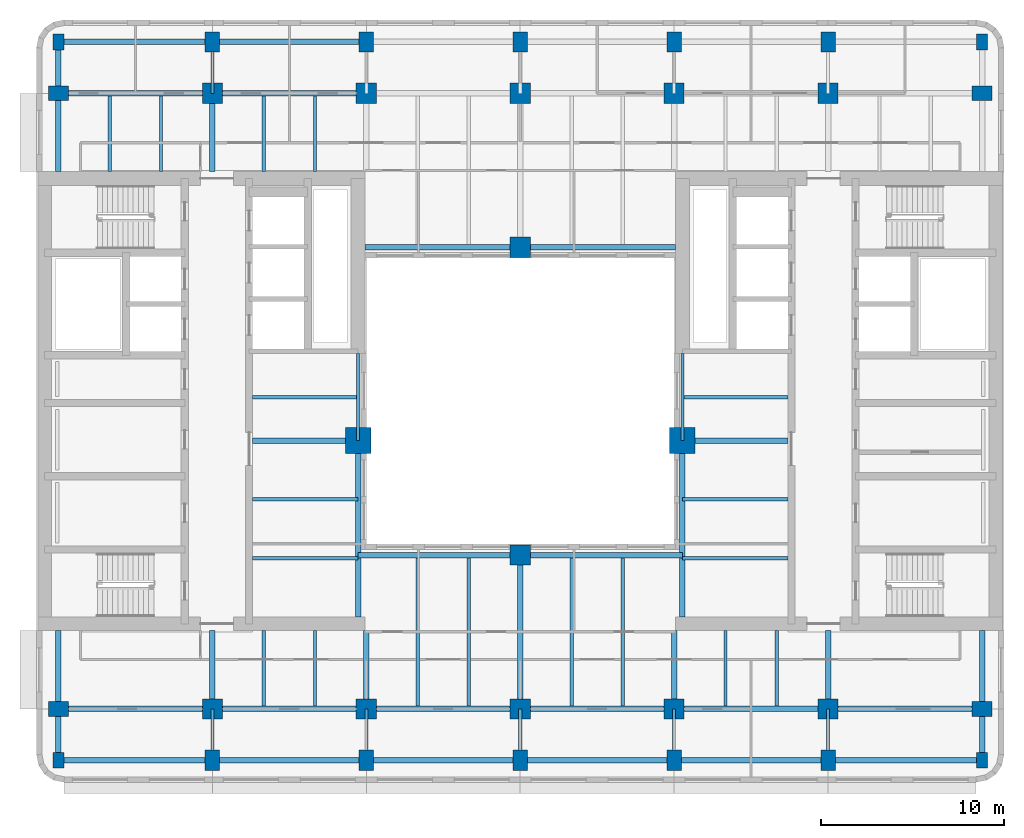
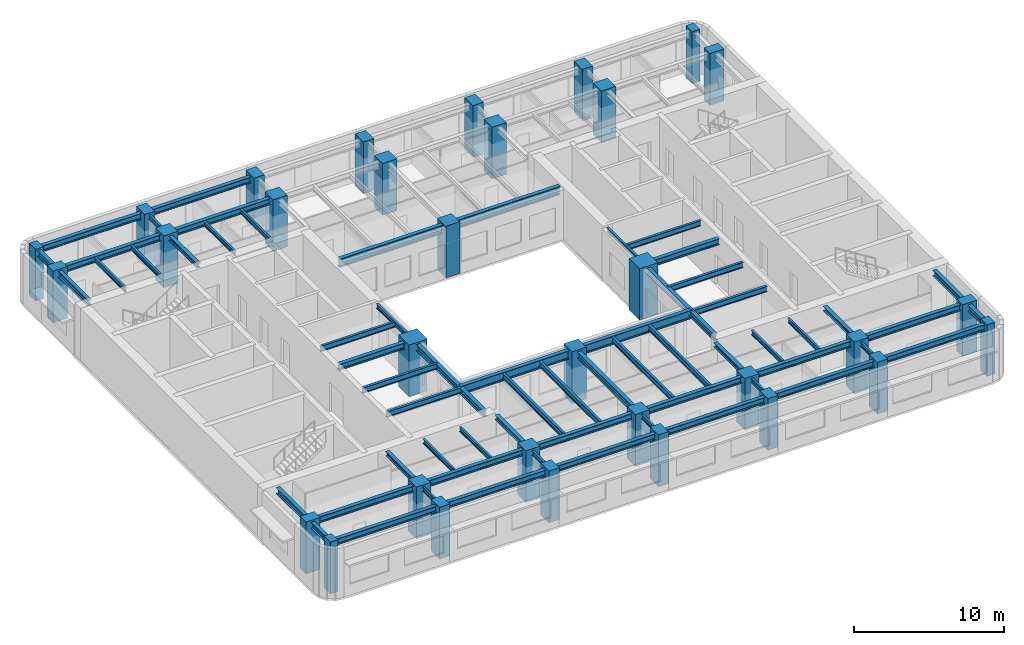
# One storey, part 1 of 11: 62 beams, 32 columns.
"""IFC4 building model written with IfcOpenShell, lengths in metres."""

from ifc_helpers import new_model, si_unit, direction, frame, origin, origin_2d, place, context, subcontext, project, spatial, rectangle, i_section, extrude, material, material_profile, profile_set, type_object, element, save


model = new_model("IFC4")

# Units and contexts
model_context = context("Model", 3, precision=1e-05, world=origin(), true_north=direction((0.0, 1.0)))
body_context = subcontext(model_context, "Body", "Model", "MODEL_VIEW")
ifc_project = project(units=[si_unit("LENGTHUNIT", "METRE"), si_unit("AREAUNIT", "SQUARE_METRE"), si_unit("VOLUMEUNIT", "CUBIC_METRE"), si_unit("PLANEANGLEUNIT", "RADIAN"), si_unit("MASSUNIT", "GRAM", prefix="KILO")], contexts=[model_context])

# Site, building, storey
site_placement = place(None, origin())
site = spatial("IfcSite", under=ifc_project, at=site_placement, CompositionType="ELEMENT")
building_placement = place(site_placement, origin())
building = spatial("IfcBuilding", under=site, at=building_placement, Name="Claustro Exchange Tower", CompositionType="ELEMENT")
storey_placement = place(building_placement, frame((0.0, 0.0, 219.60009765625)))
storey = spatial("IfcBuildingStorey", under=building, at=storey_placement, Name="L50", CompositionType="ELEMENT", Elevation=219.60009765625)

# Columns
ifc_material_1 = material(Name="Concrete HA-70 (C70/85)", Category="concrete")
ifc_material_profile_1 = material_profile(ifc_material_1, rectangle(XDim=1.39990234375, YDim=1.39990234375, at=origin_2d()), Name="RC 1400x1400")
ifc_profile_set_1 = profile_set([ifc_material_profile_1], Name="Concrete HA-70 (C70/85)")
column_type_1 = type_object("IfcColumnType", Name="C0 RC 1400x1400 HA-70 column", PredefinedType="COLUMN", material=ifc_profile_set_1)
for number, where, z_axis, x_axis, name in (
    (1, (16.35009765625, 23.050048828125, 0.0), (0.0, 0.0, 1.0), (1.0, 0.0, 0.0), "Column C0 2+7950/C+6250 L50"),
    (2, (34.050048828125, 23.050048828125, 0.0), (0.0, 0.0, 1.0), (1.0, 0.0, 0.0), "Column C0 5+450/C+6250 L50"),
):
    element("IfcColumn", number, at=place(storey_placement, frame(where, z_axis=z_axis, x_axis=x_axis)), inside=storey, type_object=column_type_1, Name=name, PredefinedType="COLUMN", context=body_context, shape_type="SweptSolid", body=[
        extrude(rectangle(XDim=1.39990234375, YDim=1.39990234375, at=origin_2d()), origin(), (0.0, 0.0, 1.0), 4.199951171875),
    ])
ifc_material_2 = material(Name="Concrete HA-70 (C70/85)", Category="concrete")
ifc_material_profile_2 = material_profile(ifc_material_2, rectangle(XDim=1.10009765625, YDim=1.10009765625, at=origin_2d()), Name="RC 1100x1100")
ifc_profile_set_2 = profile_set([ifc_material_profile_2], Name="Concrete HA-70 (C70/85)")
column_type_2 = type_object("IfcColumnType", Name="C17 RC 1100x1100 HA-70 column", PredefinedType="COLUMN", material=ifc_profile_set_2)
for number, where, z_axis, x_axis, name in (
    (3, (8.39990234375, 8.39990234375, 0.0), (0.0, 0.0, 1.0), (1.0, 0.0, 0.0), "Column C17 2/B L50"),
    (4, (8.39990234375, 42.0, 0.0), (0.0, 0.0, 1.0), (1.0, 0.0, 0.0), "Column C17 2/F L50"),
    (5, (16.800048828125, 8.39990234375, 0.0), (0.0, 0.0, 1.0), (1.0, 0.0, 0.0), "Column C17 3/B L50"),
    (6, (16.800048828125, 42.0, 0.0), (0.0, 0.0, 1.0), (1.0, 0.0, 0.0), "Column C17 3/F L50"),
    (7, (25.199951171875, 8.39990234375, 0.0), (0.0, 0.0, 1.0), (1.0, 0.0, 0.0), "Column C17 4/B L50"),
    (8, (25.199951171875, 42.0, 0.0), (0.0, 0.0, 1.0), (1.0, 0.0, 0.0), "Column C17 4/F L50"),
    (9, (25.199951171875, 16.800048828125, 0.0), (0.0, 0.0, 1.0), (1.0, 0.0, 0.0), "Column C17 4/C L50"),
    (10, (25.199951171875, 33.60009765625, 0.0), (0.0, 0.0, 1.0), (1.0, 0.0, 0.0), "Column C17 4/E L50"),
    (11, (33.60009765625, 8.39990234375, 0.0), (0.0, 0.0, 1.0), (1.0, 0.0, 0.0), "Column C17 5/B L50"),
    (12, (33.60009765625, 42.0, 0.0), (0.0, 0.0, 1.0), (1.0, 0.0, 0.0), "Column C17 5/F L50"),
    (13, (42.0, 8.39990234375, 0.0), (0.0, 0.0, 1.0), (1.0, 0.0, 0.0), "Column C17 6/B L50"),
    (14, (42.0, 42.0, 0.0), (0.0, 0.0, 1.0), (1.0, 0.0, 0.0), "Column C17 6/F L50"),
):
    element("IfcColumn", number, at=place(storey_placement, frame(where, z_axis=z_axis, x_axis=x_axis)), inside=storey, type_object=column_type_2, Name=name, PredefinedType="COLUMN", context=body_context, shape_type="SweptSolid", body=[
        extrude(rectangle(XDim=1.10009765625, YDim=1.10009765625, at=origin_2d()), origin(), (0.0, 0.0, 1.0), 4.199951171875),
    ])
ifc_material_3 = material(Name="Concrete HA-50 (C50/60)", Category="concrete")
ifc_material_profile_3 = material_profile(ifc_material_3, rectangle(XDim=0.800048828125, YDim=1.10009765625, at=origin_2d()), Name="RC 800x1100")
ifc_profile_set_3 = profile_set([ifc_material_profile_3], Name="Concrete HA-50 (C50/60)")
column_type_3 = type_object("IfcColumnType", Name="C23 RC 800x1100 HA-50 perimeter column", PredefinedType="COLUMN", material=ifc_profile_set_3)
for number, where, z_axis, x_axis, name in (
    (15, (0.0, 8.39990234375, 0.0), (0.0, 0.0, 1.0), (0.0, 1.0, 0.0), "Column C23 1/B L50"),
    (16, (0.0, 42.0, 0.0), (0.0, 0.0, 1.0), (0.0, 1.0, 0.0), "Column C23 1/F L50"),
    (17, (8.39990234375, 5.60009765625, 0.0), (0.0, 0.0, 1.0), (1.0, 0.0, 0.0), "Column C23 2/A+5600 L50"),
    (18, (8.39990234375, 44.800048828125, 0.0), (0.0, 0.0, 1.0), (1.0, 0.0, 0.0), "Column C23 2/F+2800 L50"),
    (19, (16.800048828125, 5.60009765625, 0.0), (0.0, 0.0, 1.0), (1.0, 0.0, 0.0), "Column C23 3/A+5600 L50"),
    (20, (16.800048828125, 44.800048828125, 0.0), (0.0, 0.0, 1.0), (1.0, 0.0, 0.0), "Column C23 3/F+2800 L50"),
    (21, (25.199951171875, 5.60009765625, 0.0), (0.0, 0.0, 1.0), (1.0, 0.0, 0.0), "Column C23 4/A+5600 L50"),
    (22, (25.199951171875, 44.800048828125, 0.0), (0.0, 0.0, 1.0), (1.0, 0.0, 0.0), "Column C23 4/F+2800 L50"),
    (23, (33.60009765625, 5.60009765625, 0.0), (0.0, 0.0, 1.0), (1.0, 0.0, 0.0), "Column C23 5/A+5600 L50"),
    (24, (33.60009765625, 44.800048828125, 0.0), (0.0, 0.0, 1.0), (1.0, 0.0, 0.0), "Column C23 5/F+2800 L50"),
    (25, (42.0, 5.60009765625, 0.0), (0.0, 0.0, 1.0), (1.0, 0.0, 0.0), "Column C23 6/A+5600 L50"),
    (26, (42.0, 44.800048828125, 0.0), (0.0, 0.0, 1.0), (1.0, 0.0, 0.0), "Column C23 6/F+2800 L50"),
    (27, (50.39990234375, 8.39990234375, 0.0), (0.0, 0.0, 1.0), (0.0, 1.0, 0.0), "Column C23 7/B L50"),
    (28, (50.39990234375, 42.0, 0.0), (0.0, 0.0, 1.0), (0.0, 1.0, 0.0), "Column C23 7/F L50"),
):
    element("IfcColumn", number, at=place(storey_placement, frame(where, z_axis=z_axis, x_axis=x_axis)), inside=storey, type_object=column_type_3, Name=name, PredefinedType="COLUMN", context=body_context, shape_type="SweptSolid", body=[
        extrude(rectangle(XDim=0.800048828125, YDim=1.10009765625, at=origin_2d()), origin(), (0.0, 0.0, 1.0), 4.199951171875),
    ])
ifc_material_4 = material(Name="Concrete HA-50 (C50/60)", Category="concrete")
ifc_material_profile_4 = material_profile(ifc_material_4, rectangle(XDim=0.60009765625, YDim=0.85009765625, at=origin_2d()), Name="RC 600x850")
ifc_profile_set_4 = profile_set([ifc_material_profile_4], Name="Concrete HA-50 (C50/60)")
column_type_4 = type_object("IfcColumnType", Name="C25 RC 600x850 HA-50 corner column", PredefinedType="COLUMN", material=ifc_profile_set_4)
for number, where, z_axis, x_axis, name in (
    (29, (0.0, 5.60009765625, 0.0), (0.0, 0.0, 1.0), (1.0, 0.0, 0.0), "Column C25 1/A+5600 L50"),
    (30, (0.0, 44.800048828125, 0.0), (0.0, 0.0, 1.0), (1.0, 0.0, 0.0), "Column C25 1/F+2800 L50"),
    (31, (50.39990234375, 5.60009765625, 0.0), (0.0, 0.0, 1.0), (1.0, 0.0, 0.0), "Column C25 7/A+5600 L50"),
    (32, (50.39990234375, 44.800048828125, 0.0), (0.0, 0.0, 1.0), (1.0, 0.0, 0.0), "Column C25 7/F+2800 L50"),
):
    element("IfcColumn", number, at=place(storey_placement, frame(where, z_axis=z_axis, x_axis=x_axis)), inside=storey, type_object=column_type_4, Name=name, PredefinedType="COLUMN", context=body_context, shape_type="SweptSolid", body=[
        extrude(rectangle(XDim=0.60009765625, YDim=0.85009765625, at=origin_2d()), origin(), (0.0, 0.0, 1.0), 4.199951171875),
    ])

# Beams
ifc_material_5 = material(Name="Steel S355", Category="steel")
ifc_material_profile_5 = material_profile(ifc_material_5, i_section(OverallWidth=0.300048828125, OverallDepth=0.68994140625, WebThickness=0.014404296875, FlangeThickness=0.027099609375, FilletRadius=0.027099609375, at=origin_2d()), Name="HE 700 A")
ifc_profile_set_5 = profile_set([ifc_material_profile_5], Name="Steel S355")
beam_type_1 = type_object("IfcBeamType", Name="B13 HE 700 A light well edge girder", PredefinedType="BEAM", material=ifc_profile_set_5)
beam_1_placement = place(storey_placement, frame((16.35009765625, 16.800048828125, 3.704833984375), z_axis=(1.0, 0.0, 0.0), x_axis=(0.0, 1.0, 0.0)))
element("IfcBeam", 33, at=beam_1_placement, inside=storey, type_object=beam_type_1, Name="Beam B13 L51", PredefinedType="BEAM", context=body_context, shape_type="SweptSolid", body=[
    extrude(i_section(OverallWidth=0.300048828125, OverallDepth=0.68994140625, WebThickness=0.014404296875, FlangeThickness=0.027099609375, FilletRadius=0.027099609375, at=origin_2d()), origin(), (0.0, 0.0, 1.0), 8.849853515625),
])
beam_2_placement = place(storey_placement, frame((25.199951171875, 16.800048828125, 3.704833984375), z_axis=(1.0, 0.0, 0.0), x_axis=(0.0, 1.0, 0.0)))
element("IfcBeam", 34, at=beam_2_placement, inside=storey, type_object=beam_type_1, Name="Beam B13 L51", PredefinedType="BEAM", context=body_context, shape_type="SweptSolid", body=[
    extrude(i_section(OverallWidth=0.300048828125, OverallDepth=0.68994140625, WebThickness=0.014404296875, FlangeThickness=0.027099609375, FilletRadius=0.027099609375, at=origin_2d()), origin(), (0.0, 0.0, 1.0), 8.85009765625),
])
beam_3_placement = place(storey_placement, frame((16.72509765625, 33.60009765625, 3.704833984375), z_axis=(1.0, 0.0, 0.0), x_axis=(0.0, 1.0, 0.0)))
element("IfcBeam", 35, at=beam_3_placement, inside=storey, type_object=beam_type_1, Name="Beam B13 L51", PredefinedType="BEAM", context=body_context, shape_type="SweptSolid", body=[
    extrude(i_section(OverallWidth=0.300048828125, OverallDepth=0.68994140625, WebThickness=0.014404296875, FlangeThickness=0.027099609375, FilletRadius=0.027099609375, at=origin_2d()), origin(), (0.0, 0.0, 1.0), 8.474853515625),
])
beam_4_placement = place(storey_placement, frame((25.199951171875, 33.60009765625, 3.704833984375), z_axis=(1.0, 0.0, 0.0), x_axis=(0.0, 1.0, 0.0)))
element("IfcBeam", 36, at=beam_4_placement, inside=storey, type_object=beam_type_1, Name="Beam B13 L51", PredefinedType="BEAM", context=body_context, shape_type="SweptSolid", body=[
    extrude(i_section(OverallWidth=0.300048828125, OverallDepth=0.68994140625, WebThickness=0.014404296875, FlangeThickness=0.027099609375, FilletRadius=0.027099609375, at=origin_2d()), origin(), (0.0, 0.0, 1.0), 8.47509765625),
])
ifc_material_6 = material(Name="Steel S355", Category="steel")
ifc_material_profile_6 = material_profile(ifc_material_6, i_section(OverallWidth=0.169921875, OverallDepth=0.360107421875, WebThickness=0.008056640625, FlangeThickness=0.0126953125, FilletRadius=0.01806640625, at=origin_2d()), Name="IPE 360")
ifc_profile_set_6 = profile_set([ifc_material_profile_6], Name="Steel S355")
beam_type_2 = type_object("IfcBeamType", Name="B16 IPE 360 short-span beam", PredefinedType="BEAM", material=ifc_profile_set_6)
beam_5_placement = place(storey_placement, frame((8.39990234375, 5.60009765625, 3.869873046875), z_axis=(0.0, 1.0, 0.0), x_axis=(-1.0, 0.0, 0.0)))
element("IfcBeam", 37, at=beam_5_placement, inside=storey, type_object=beam_type_2, Name="Beam B16 L51", PredefinedType="BEAM", context=body_context, shape_type="SweptSolid", body=[
    extrude(i_section(OverallWidth=0.169921875, OverallDepth=0.360107421875, WebThickness=0.008056640625, FlangeThickness=0.0126953125, FilletRadius=0.01806640625, at=origin_2d()), origin(), (0.0, 0.0, 1.0), 2.7998046875),
])
beam_6_placement = place(storey_placement, frame((8.39990234375, 42.0, 3.869873046875), z_axis=(0.0, 1.0, 0.0), x_axis=(-1.0, 0.0, 0.0)))
element("IfcBeam", 38, at=beam_6_placement, inside=storey, type_object=beam_type_2, Name="Beam B16 L51", PredefinedType="BEAM", context=body_context, shape_type="SweptSolid", body=[
    extrude(i_section(OverallWidth=0.169921875, OverallDepth=0.360107421875, WebThickness=0.008056640625, FlangeThickness=0.0126953125, FilletRadius=0.01806640625, at=origin_2d()), origin(), (0.0, 0.0, 1.0), 2.800048828125),
])
for number, where, z_axis, x_axis, name in (
    (39, (16.800048828125, 5.60009765625, 3.869873046875), (0.0, 1.0, 0.0), (-1.0, 0.0, 0.0), "Beam B16 L51"),
    (40, (25.199951171875, 5.60009765625, 3.869873046875), (0.0, 1.0, 0.0), (-1.0, 0.0, 0.0), "Beam B16 L51"),
    (41, (33.60009765625, 5.60009765625, 3.869873046875), (0.0, 1.0, 0.0), (-1.0, 0.0, 0.0), "Beam B16 L51"),
    (42, (42.0, 5.60009765625, 3.869873046875), (0.0, 1.0, 0.0), (-1.0, 0.0, 0.0), "Beam B16 L51"),
):
    element("IfcBeam", number, at=place(storey_placement, frame(where, z_axis=z_axis, x_axis=x_axis)), inside=storey, type_object=beam_type_2, Name=name, PredefinedType="BEAM", context=body_context, shape_type="SweptSolid", body=[
        extrude(i_section(OverallWidth=0.169921875, OverallDepth=0.360107421875, WebThickness=0.008056640625, FlangeThickness=0.0126953125, FilletRadius=0.01806640625, at=origin_2d()), origin(), (0.0, 0.0, 1.0), 2.7998046875),
    ])
for number, where, z_axis, x_axis, name in (
    (43, (2.800048828125, 37.72509765625, 3.869873046875), (0.0, 1.0, 0.0), (-1.0, 0.0, 0.0), "Beam B16 L51"),
    (44, (5.60009765625, 37.72509765625, 3.869873046875), (0.0, 1.0, 0.0), (-1.0, 0.0, 0.0), "Beam B16 L51"),
    (45, (11.199951171875, 8.550048828125, 3.869873046875), (0.0, 1.0, 0.0), (-1.0, 0.0, 0.0), "Beam B16 L51"),
    (46, (14.0, 8.550048828125, 3.869873046875), (0.0, 1.0, 0.0), (-1.0, 0.0, 0.0), "Beam B16 L51"),
    (47, (11.199951171875, 37.72509765625, 3.869873046875), (0.0, 1.0, 0.0), (-1.0, 0.0, 0.0), "Beam B16 L51"),
    (48, (14.0, 37.72509765625, 3.869873046875), (0.0, 1.0, 0.0), (-1.0, 0.0, 0.0), "Beam B16 L51"),
    (49, (36.39990234375, 8.550048828125, 3.869873046875), (0.0, 1.0, 0.0), (-1.0, 0.0, 0.0), "Beam B16 L51"),
    (50, (39.199951171875, 8.550048828125, 3.869873046875), (0.0, 1.0, 0.0), (-1.0, 0.0, 0.0), "Beam B16 L51"),
):
    element("IfcBeam", number, at=place(storey_placement, frame(where, z_axis=z_axis, x_axis=x_axis)), inside=storey, type_object=beam_type_2, Name=name, PredefinedType="BEAM", context=body_context, shape_type="SweptSolid", body=[
        extrude(i_section(OverallWidth=0.169921875, OverallDepth=0.360107421875, WebThickness=0.008056640625, FlangeThickness=0.0126953125, FilletRadius=0.01806640625, at=origin_2d()), origin(), (0.0, 0.0, 1.0), 4.125),
    ])
for number, where, z_axis, x_axis, name in (
    (51, (16.35009765625, 23.050048828125, 3.869873046875), (0.0, 1.0, 0.0), (-1.0, 0.0, 0.0), "Beam B16 core step framing L51"),
    (52, (34.050048828125, 23.050048828125, 3.869873046875), (0.0, 1.0, 0.0), (-1.0, 0.0, 0.0), "Beam B16 core step framing L51"),
):
    element("IfcBeam", number, at=place(storey_placement, frame(where, z_axis=z_axis, x_axis=x_axis)), inside=storey, type_object=beam_type_2, Name=name, PredefinedType="BEAM", context=body_context, shape_type="SweptSolid", body=[
        extrude(i_section(OverallWidth=0.169921875, OverallDepth=0.360107421875, WebThickness=0.008056640625, FlangeThickness=0.0126953125, FilletRadius=0.01806640625, at=origin_2d()), origin(), (0.0, 0.0, 1.0), 4.75),
    ])
ifc_material_7 = material(Name="Steel S355", Category="steel")
ifc_material_profile_7 = material_profile(ifc_material_7, i_section(OverallWidth=0.300048828125, OverallDepth=0.360107421875, WebThickness=0.012451171875, FlangeThickness=0.0224609375, FilletRadius=0.027099609375, at=origin_2d()), Name="HE 360 B")
ifc_profile_set_7 = profile_set([ifc_material_profile_7], Name="Steel S355")
beam_type_3 = type_object("IfcBeamType", Name="B29 HE 360 B column to core link beam", PredefinedType="BEAM", material=ifc_profile_set_7)
beam_7_placement = place(storey_placement, frame((8.39990234375, 8.39990234375, 3.869873046875), z_axis=(0.0, 1.0, 0.0), x_axis=(-1.0, 0.0, 0.0)))
element("IfcBeam", 53, at=beam_7_placement, inside=storey, type_object=beam_type_3, Name="Beam B29 L51", PredefinedType="BEAM", context=body_context, shape_type="SweptSolid", body=[
    extrude(i_section(OverallWidth=0.300048828125, OverallDepth=0.360107421875, WebThickness=0.012451171875, FlangeThickness=0.0224609375, FilletRadius=0.027099609375, at=origin_2d()), origin(), (0.0, 0.0, 1.0), 4.275146484375),
])
beam_8_placement = place(storey_placement, frame((8.39990234375, 37.72509765625, 3.869873046875), z_axis=(0.0, 1.0, 0.0), x_axis=(-1.0, 0.0, 0.0)))
element("IfcBeam", 54, at=beam_8_placement, inside=storey, type_object=beam_type_3, Name="Beam B29 L51", PredefinedType="BEAM", context=body_context, shape_type="SweptSolid", body=[
    extrude(i_section(OverallWidth=0.300048828125, OverallDepth=0.360107421875, WebThickness=0.012451171875, FlangeThickness=0.0224609375, FilletRadius=0.027099609375, at=origin_2d()), origin(), (0.0, 0.0, 1.0), 4.27490234375),
])
for number, where, z_axis, x_axis, name in (
    (55, (16.800048828125, 8.39990234375, 3.869873046875), (0.0, 1.0, 0.0), (-1.0, 0.0, 0.0), "Beam B29 L51"),
    (56, (33.60009765625, 8.39990234375, 3.869873046875), (0.0, 1.0, 0.0), (-1.0, 0.0, 0.0), "Beam B29 L51"),
    (57, (42.0, 8.39990234375, 3.869873046875), (0.0, 1.0, 0.0), (-1.0, 0.0, 0.0), "Beam B29 L51"),
):
    element("IfcBeam", number, at=place(storey_placement, frame(where, z_axis=z_axis, x_axis=x_axis)), inside=storey, type_object=beam_type_3, Name=name, PredefinedType="BEAM", context=body_context, shape_type="SweptSolid", body=[
        extrude(i_section(OverallWidth=0.300048828125, OverallDepth=0.360107421875, WebThickness=0.012451171875, FlangeThickness=0.0224609375, FilletRadius=0.027099609375, at=origin_2d()), origin(), (0.0, 0.0, 1.0), 4.275146484375),
    ])
ifc_material_8 = material(Name="Steel S355", Category="steel")
ifc_material_profile_8 = material_profile(ifc_material_8, i_section(OverallWidth=0.300048828125, OverallDepth=0.5, WebThickness=0.014404296875, FlangeThickness=0.028076171875, FilletRadius=0.027099609375, at=origin_2d()), Name="HE 500 B")
ifc_profile_set_8 = profile_set([ifc_material_profile_8], Name="Steel S355")
beam_type_4 = type_object("IfcBeamType", Name="B7 HE 500 B floor girder", PredefinedType="BEAM", material=ifc_profile_set_8)
beam_9_placement = place(storey_placement, frame((25.199951171875, 8.39990234375, 3.7998046875), z_axis=(0.0, 1.0, 0.0), x_axis=(-1.0, 0.0, 0.0)))
element("IfcBeam", 58, at=beam_9_placement, inside=storey, type_object=beam_type_4, Name="Beam B7 L51", PredefinedType="BEAM", context=body_context, shape_type="SweptSolid", body=[
    extrude(i_section(OverallWidth=0.300048828125, OverallDepth=0.5, WebThickness=0.014404296875, FlangeThickness=0.028076171875, FilletRadius=0.027099609375, at=origin_2d()), origin(), (0.0, 0.0, 1.0), 8.400146484375),
])
beam_10_placement = place(storey_placement, frame((0.0, 8.39990234375, 3.7998046875), z_axis=(1.0, 0.0, 0.0), x_axis=(0.0, 1.0, 0.0)))
element("IfcBeam", 59, at=beam_10_placement, inside=storey, type_object=beam_type_4, Name="Beam B7 L51", PredefinedType="BEAM", context=body_context, shape_type="SweptSolid", body=[
    extrude(i_section(OverallWidth=0.300048828125, OverallDepth=0.5, WebThickness=0.014404296875, FlangeThickness=0.028076171875, FilletRadius=0.027099609375, at=origin_2d()), origin(), (0.0, 0.0, 1.0), 8.39990234375),
])
beam_11_placement = place(storey_placement, frame((8.39990234375, 8.39990234375, 3.7998046875), z_axis=(1.0, 0.0, 0.0), x_axis=(0.0, 1.0, 0.0)))
element("IfcBeam", 60, at=beam_11_placement, inside=storey, type_object=beam_type_4, Name="Beam B7 L51", PredefinedType="BEAM", context=body_context, shape_type="SweptSolid", body=[
    extrude(i_section(OverallWidth=0.300048828125, OverallDepth=0.5, WebThickness=0.014404296875, FlangeThickness=0.028076171875, FilletRadius=0.027099609375, at=origin_2d()), origin(), (0.0, 0.0, 1.0), 8.400146484375),
])
beam_12_placement = place(storey_placement, frame((16.800048828125, 8.39990234375, 3.7998046875), z_axis=(1.0, 0.0, 0.0), x_axis=(0.0, 1.0, 0.0)))
element("IfcBeam", 61, at=beam_12_placement, inside=storey, type_object=beam_type_4, Name="Beam B7 L51", PredefinedType="BEAM", context=body_context, shape_type="SweptSolid", body=[
    extrude(i_section(OverallWidth=0.300048828125, OverallDepth=0.5, WebThickness=0.014404296875, FlangeThickness=0.028076171875, FilletRadius=0.027099609375, at=origin_2d()), origin(), (0.0, 0.0, 1.0), 8.39990234375),
])
beam_13_placement = place(storey_placement, frame((25.199951171875, 8.39990234375, 3.7998046875), z_axis=(1.0, 0.0, 0.0), x_axis=(0.0, 1.0, 0.0)))
element("IfcBeam", 62, at=beam_13_placement, inside=storey, type_object=beam_type_4, Name="Beam B7 L51", PredefinedType="BEAM", context=body_context, shape_type="SweptSolid", body=[
    extrude(i_section(OverallWidth=0.300048828125, OverallDepth=0.5, WebThickness=0.014404296875, FlangeThickness=0.028076171875, FilletRadius=0.027099609375, at=origin_2d()), origin(), (0.0, 0.0, 1.0), 8.400146484375),
])
for number, where, z_axis, x_axis, name in (
    (63, (33.60009765625, 8.39990234375, 3.7998046875), (1.0, 0.0, 0.0), (0.0, 1.0, 0.0), "Beam B7 L51"),
    (64, (42.0, 8.39990234375, 3.7998046875), (1.0, 0.0, 0.0), (0.0, 1.0, 0.0), "Beam B7 L51"),
    (65, (0.0, 42.0, 3.7998046875), (1.0, 0.0, 0.0), (0.0, 1.0, 0.0), "Beam B7 L51"),
):
    element("IfcBeam", number, at=place(storey_placement, frame(where, z_axis=z_axis, x_axis=x_axis)), inside=storey, type_object=beam_type_4, Name=name, PredefinedType="BEAM", context=body_context, shape_type="SweptSolid", body=[
        extrude(i_section(OverallWidth=0.300048828125, OverallDepth=0.5, WebThickness=0.014404296875, FlangeThickness=0.028076171875, FilletRadius=0.027099609375, at=origin_2d()), origin(), (0.0, 0.0, 1.0), 8.39990234375),
    ])
beam_14_placement = place(storey_placement, frame((8.39990234375, 42.0, 3.7998046875), z_axis=(1.0, 0.0, 0.0), x_axis=(0.0, 1.0, 0.0)))
element("IfcBeam", 66, at=beam_14_placement, inside=storey, type_object=beam_type_4, Name="Beam B7 L51", PredefinedType="BEAM", context=body_context, shape_type="SweptSolid", body=[
    extrude(i_section(OverallWidth=0.300048828125, OverallDepth=0.5, WebThickness=0.014404296875, FlangeThickness=0.028076171875, FilletRadius=0.027099609375, at=origin_2d()), origin(), (0.0, 0.0, 1.0), 8.400146484375),
])
beam_15_placement = place(storey_placement, frame((10.60009765625, 23.050048828125, 3.7998046875), z_axis=(1.0, 0.0, 0.0), x_axis=(0.0, 1.0, 0.0)))
element("IfcBeam", 67, at=beam_15_placement, inside=storey, type_object=beam_type_4, Name="Beam B7 core step framing L51", PredefinedType="BEAM", context=body_context, shape_type="SweptSolid", body=[
    extrude(i_section(OverallWidth=0.300048828125, OverallDepth=0.5, WebThickness=0.014404296875, FlangeThickness=0.028076171875, FilletRadius=0.027099609375, at=origin_2d()), origin(), (0.0, 0.0, 1.0), 5.75),
])
beam_16_placement = place(storey_placement, frame((16.35009765625, 13.425048828125, 3.7998046875), z_axis=(0.0, 1.0, 0.0), x_axis=(-1.0, 0.0, 0.0)))
element("IfcBeam", 68, at=beam_16_placement, inside=storey, type_object=beam_type_4, Name="Beam B7 core step framing L51", PredefinedType="BEAM", context=body_context, shape_type="SweptSolid", body=[
    extrude(i_section(OverallWidth=0.300048828125, OverallDepth=0.5, WebThickness=0.014404296875, FlangeThickness=0.028076171875, FilletRadius=0.027099609375, at=origin_2d()), origin(), (0.0, 0.0, 1.0), 9.625),
])
beam_17_placement = place(storey_placement, frame((34.050048828125, 23.050048828125, 3.7998046875), z_axis=(1.0, 0.0, 0.0), x_axis=(0.0, 1.0, 0.0)))
element("IfcBeam", 69, at=beam_17_placement, inside=storey, type_object=beam_type_4, Name="Beam B7 core step framing L51", PredefinedType="BEAM", context=body_context, shape_type="SweptSolid", body=[
    extrude(i_section(OverallWidth=0.300048828125, OverallDepth=0.5, WebThickness=0.014404296875, FlangeThickness=0.028076171875, FilletRadius=0.027099609375, at=origin_2d()), origin(), (0.0, 0.0, 1.0), 5.75),
])
beam_18_placement = place(storey_placement, frame((34.050048828125, 13.425048828125, 3.7998046875), z_axis=(0.0, 1.0, 0.0), x_axis=(-1.0, 0.0, 0.0)))
element("IfcBeam", 70, at=beam_18_placement, inside=storey, type_object=beam_type_4, Name="Beam B7 core step framing L51", PredefinedType="BEAM", context=body_context, shape_type="SweptSolid", body=[
    extrude(i_section(OverallWidth=0.300048828125, OverallDepth=0.5, WebThickness=0.014404296875, FlangeThickness=0.028076171875, FilletRadius=0.027099609375, at=origin_2d()), origin(), (0.0, 0.0, 1.0), 9.625),
])
ifc_material_9 = material(Name="Steel S355", Category="steel")
ifc_material_profile_9 = material_profile(ifc_material_9, i_section(OverallWidth=0.18994140625, OverallDepth=0.449951171875, WebThickness=0.009521484375, FlangeThickness=0.0146484375, FilletRadius=0.02099609375, at=origin_2d()), Name="IPE 450")
ifc_profile_set_9 = profile_set([ifc_material_profile_9], Name="Steel S355")
beam_type_5 = type_object("IfcBeamType", Name="B8 IPE 450 secondary beam", PredefinedType="BEAM", material=ifc_profile_set_9)
for number, where, z_axis, x_axis, name in (
    (71, (19.60009765625, 8.550048828125, 3.824951171875), (0.0, 1.0, 0.0), (-1.0, 0.0, 0.0), "Beam B8 L51"),
    (72, (22.39990234375, 8.550048828125, 3.824951171875), (0.0, 1.0, 0.0), (-1.0, 0.0, 0.0), "Beam B8 L51"),
    (73, (28.0, 8.550048828125, 3.824951171875), (0.0, 1.0, 0.0), (-1.0, 0.0, 0.0), "Beam B8 L51"),
    (74, (30.800048828125, 8.550048828125, 3.824951171875), (0.0, 1.0, 0.0), (-1.0, 0.0, 0.0), "Beam B8 L51"),
):
    element("IfcBeam", number, at=place(storey_placement, frame(where, z_axis=z_axis, x_axis=x_axis)), inside=storey, type_object=beam_type_5, Name=name, PredefinedType="BEAM", context=body_context, shape_type="SweptSolid", body=[
        extrude(i_section(OverallWidth=0.18994140625, OverallDepth=0.449951171875, WebThickness=0.009521484375, FlangeThickness=0.0146484375, FilletRadius=0.02099609375, at=origin_2d()), origin(), (0.0, 0.0, 1.0), 8.099853515625),
    ])
for number, where, z_axis, x_axis, name in (
    (75, (10.60009765625, 16.63330078125, 3.824951171875), (1.0, 0.0, 0.0), (0.0, 1.0, 0.0), "Beam B8 core step framing L51"),
    (76, (10.60009765625, 19.841796875, 3.824951171875), (1.0, 0.0, 0.0), (0.0, 1.0, 0.0), "Beam B8 core step framing L51"),
    (77, (10.60009765625, 25.425048828125, 3.824951171875), (1.0, 0.0, 0.0), (0.0, 1.0, 0.0), "Beam B8 core step framing L51"),
    (78, (34.050048828125, 16.63330078125, 3.824951171875), (1.0, 0.0, 0.0), (0.0, 1.0, 0.0), "Beam B8 core step framing L51"),
    (79, (34.050048828125, 19.841796875, 3.824951171875), (1.0, 0.0, 0.0), (0.0, 1.0, 0.0), "Beam B8 core step framing L51"),
    (80, (34.050048828125, 25.425048828125, 3.824951171875), (1.0, 0.0, 0.0), (0.0, 1.0, 0.0), "Beam B8 core step framing L51"),
):
    element("IfcBeam", number, at=place(storey_placement, frame(where, z_axis=z_axis, x_axis=x_axis)), inside=storey, type_object=beam_type_5, Name=name, PredefinedType="BEAM", context=body_context, shape_type="SweptSolid", body=[
        extrude(i_section(OverallWidth=0.18994140625, OverallDepth=0.449951171875, WebThickness=0.009521484375, FlangeThickness=0.0146484375, FilletRadius=0.02099609375, at=origin_2d()), origin(), (0.0, 0.0, 1.0), 5.75),
    ])
ifc_material_10 = material(Name="Steel S355", Category="steel")
ifc_material_profile_10 = material_profile(ifc_material_10, i_section(OverallWidth=0.300048828125, OverallDepth=0.489990234375, WebThickness=0.011962890625, FlangeThickness=0.02294921875, FilletRadius=0.027099609375, at=origin_2d()), Name="HE 500 A")
ifc_profile_set_10 = profile_set([ifc_material_profile_10], Name="Steel S355")
beam_type_6 = type_object("IfcBeamType", Name="B9 HE 500 A spandrel edge girder", PredefinedType="SPANDREL", material=ifc_profile_set_10)
beam_19_placement = place(storey_placement, frame((0.0, 5.60009765625, 3.804931640625), z_axis=(0.0, 1.0, 0.0), x_axis=(-1.0, 0.0, 0.0)))
element("IfcBeam", 81, at=beam_19_placement, inside=storey, type_object=beam_type_6, Name="Beam B9 L51", PredefinedType="SPANDREL", context=body_context, shape_type="SweptSolid", body=[
    extrude(i_section(OverallWidth=0.300048828125, OverallDepth=0.489990234375, WebThickness=0.011962890625, FlangeThickness=0.02294921875, FilletRadius=0.027099609375, at=origin_2d()), origin(), (0.0, 0.0, 1.0), 2.7998046875),
])
beam_20_placement = place(storey_placement, frame((0.0, 8.39990234375, 3.804931640625), z_axis=(0.0, 1.0, 0.0), x_axis=(-1.0, 0.0, 0.0)))
element("IfcBeam", 82, at=beam_20_placement, inside=storey, type_object=beam_type_6, Name="Beam B9 L51", PredefinedType="SPANDREL", context=body_context, shape_type="SweptSolid", body=[
    extrude(i_section(OverallWidth=0.300048828125, OverallDepth=0.489990234375, WebThickness=0.011962890625, FlangeThickness=0.02294921875, FilletRadius=0.027099609375, at=origin_2d()), origin(), (0.0, 0.0, 1.0), 4.275146484375),
])
beam_21_placement = place(storey_placement, frame((0.0, 37.72509765625, 3.804931640625), z_axis=(0.0, 1.0, 0.0), x_axis=(-1.0, 0.0, 0.0)))
element("IfcBeam", 83, at=beam_21_placement, inside=storey, type_object=beam_type_6, Name="Beam B9 L51", PredefinedType="SPANDREL", context=body_context, shape_type="SweptSolid", body=[
    extrude(i_section(OverallWidth=0.300048828125, OverallDepth=0.489990234375, WebThickness=0.011962890625, FlangeThickness=0.02294921875, FilletRadius=0.027099609375, at=origin_2d()), origin(), (0.0, 0.0, 1.0), 4.27490234375),
])
beam_22_placement = place(storey_placement, frame((0.0, 42.0, 3.804931640625), z_axis=(0.0, 1.0, 0.0), x_axis=(-1.0, 0.0, 0.0)))
element("IfcBeam", 84, at=beam_22_placement, inside=storey, type_object=beam_type_6, Name="Beam B9 L51", PredefinedType="SPANDREL", context=body_context, shape_type="SweptSolid", body=[
    extrude(i_section(OverallWidth=0.300048828125, OverallDepth=0.489990234375, WebThickness=0.011962890625, FlangeThickness=0.02294921875, FilletRadius=0.027099609375, at=origin_2d()), origin(), (0.0, 0.0, 1.0), 2.800048828125),
])
beam_23_placement = place(storey_placement, frame((50.39990234375, 5.60009765625, 3.804931640625), z_axis=(0.0, 1.0, 0.0), x_axis=(-1.0, 0.0, 0.0)))
element("IfcBeam", 85, at=beam_23_placement, inside=storey, type_object=beam_type_6, Name="Beam B9 L51", PredefinedType="SPANDREL", context=body_context, shape_type="SweptSolid", body=[
    extrude(i_section(OverallWidth=0.300048828125, OverallDepth=0.489990234375, WebThickness=0.011962890625, FlangeThickness=0.02294921875, FilletRadius=0.027099609375, at=origin_2d()), origin(), (0.0, 0.0, 1.0), 2.7998046875),
])
beam_24_placement = place(storey_placement, frame((50.39990234375, 8.39990234375, 3.804931640625), z_axis=(0.0, 1.0, 0.0), x_axis=(-1.0, 0.0, 0.0)))
element("IfcBeam", 86, at=beam_24_placement, inside=storey, type_object=beam_type_6, Name="Beam B9 L51", PredefinedType="SPANDREL", context=body_context, shape_type="SweptSolid", body=[
    extrude(i_section(OverallWidth=0.300048828125, OverallDepth=0.489990234375, WebThickness=0.011962890625, FlangeThickness=0.02294921875, FilletRadius=0.027099609375, at=origin_2d()), origin(), (0.0, 0.0, 1.0), 4.275146484375),
])
beam_25_placement = place(storey_placement, frame((0.0, 5.60009765625, 3.804931640625), z_axis=(1.0, 0.0, 0.0), x_axis=(0.0, 1.0, 0.0)))
element("IfcBeam", 87, at=beam_25_placement, inside=storey, type_object=beam_type_6, Name="Beam B9 L51", PredefinedType="SPANDREL", context=body_context, shape_type="SweptSolid", body=[
    extrude(i_section(OverallWidth=0.300048828125, OverallDepth=0.489990234375, WebThickness=0.011962890625, FlangeThickness=0.02294921875, FilletRadius=0.027099609375, at=origin_2d()), origin(), (0.0, 0.0, 1.0), 8.39990234375),
])
beam_26_placement = place(storey_placement, frame((8.39990234375, 5.60009765625, 3.804931640625), z_axis=(1.0, 0.0, 0.0), x_axis=(0.0, 1.0, 0.0)))
element("IfcBeam", 88, at=beam_26_placement, inside=storey, type_object=beam_type_6, Name="Beam B9 L51", PredefinedType="SPANDREL", context=body_context, shape_type="SweptSolid", body=[
    extrude(i_section(OverallWidth=0.300048828125, OverallDepth=0.489990234375, WebThickness=0.011962890625, FlangeThickness=0.02294921875, FilletRadius=0.027099609375, at=origin_2d()), origin(), (0.0, 0.0, 1.0), 8.400146484375),
])
beam_27_placement = place(storey_placement, frame((16.800048828125, 5.60009765625, 3.804931640625), z_axis=(1.0, 0.0, 0.0), x_axis=(0.0, 1.0, 0.0)))
element("IfcBeam", 89, at=beam_27_placement, inside=storey, type_object=beam_type_6, Name="Beam B9 L51", PredefinedType="SPANDREL", context=body_context, shape_type="SweptSolid", body=[
    extrude(i_section(OverallWidth=0.300048828125, OverallDepth=0.489990234375, WebThickness=0.011962890625, FlangeThickness=0.02294921875, FilletRadius=0.027099609375, at=origin_2d()), origin(), (0.0, 0.0, 1.0), 8.39990234375),
])
beam_28_placement = place(storey_placement, frame((25.199951171875, 5.60009765625, 3.804931640625), z_axis=(1.0, 0.0, 0.0), x_axis=(0.0, 1.0, 0.0)))
element("IfcBeam", 90, at=beam_28_placement, inside=storey, type_object=beam_type_6, Name="Beam B9 L51", PredefinedType="SPANDREL", context=body_context, shape_type="SweptSolid", body=[
    extrude(i_section(OverallWidth=0.300048828125, OverallDepth=0.489990234375, WebThickness=0.011962890625, FlangeThickness=0.02294921875, FilletRadius=0.027099609375, at=origin_2d()), origin(), (0.0, 0.0, 1.0), 8.400146484375),
])
for number, where, z_axis, x_axis, name in (
    (91, (33.60009765625, 5.60009765625, 3.804931640625), (1.0, 0.0, 0.0), (0.0, 1.0, 0.0), "Beam B9 L51"),
    (92, (42.0, 5.60009765625, 3.804931640625), (1.0, 0.0, 0.0), (0.0, 1.0, 0.0), "Beam B9 L51"),
    (93, (0.0, 44.800048828125, 3.804931640625), (1.0, 0.0, 0.0), (0.0, 1.0, 0.0), "Beam B9 L51"),
):
    element("IfcBeam", number, at=place(storey_placement, frame(where, z_axis=z_axis, x_axis=x_axis)), inside=storey, type_object=beam_type_6, Name=name, PredefinedType="SPANDREL", context=body_context, shape_type="SweptSolid", body=[
        extrude(i_section(OverallWidth=0.300048828125, OverallDepth=0.489990234375, WebThickness=0.011962890625, FlangeThickness=0.02294921875, FilletRadius=0.027099609375, at=origin_2d()), origin(), (0.0, 0.0, 1.0), 8.39990234375),
    ])
beam_29_placement = place(storey_placement, frame((8.39990234375, 44.800048828125, 3.804931640625), z_axis=(1.0, 0.0, 0.0), x_axis=(0.0, 1.0, 0.0)))
element("IfcBeam", 94, at=beam_29_placement, inside=storey, type_object=beam_type_6, Name="Beam B9 L51", PredefinedType="SPANDREL", context=body_context, shape_type="SweptSolid", body=[
    extrude(i_section(OverallWidth=0.300048828125, OverallDepth=0.489990234375, WebThickness=0.011962890625, FlangeThickness=0.02294921875, FilletRadius=0.027099609375, at=origin_2d()), origin(), (0.0, 0.0, 1.0), 8.400146484375),
])

save(model, "model.ifc")
